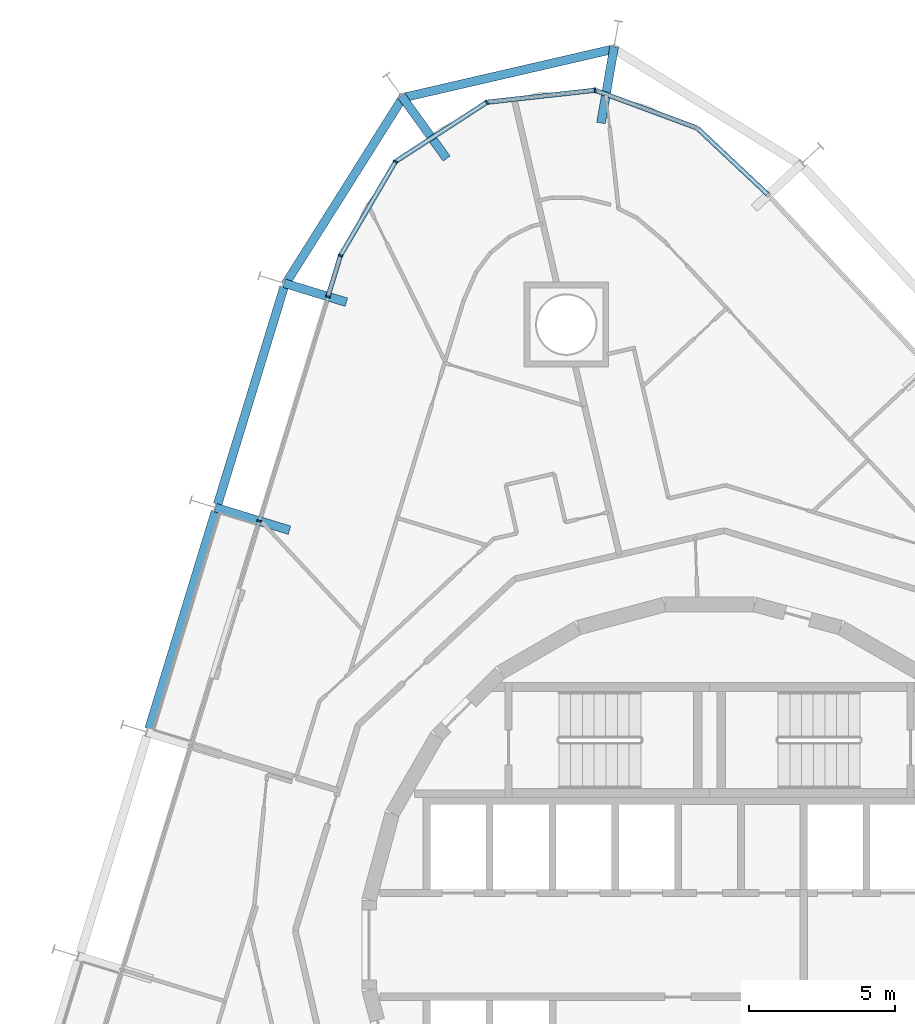
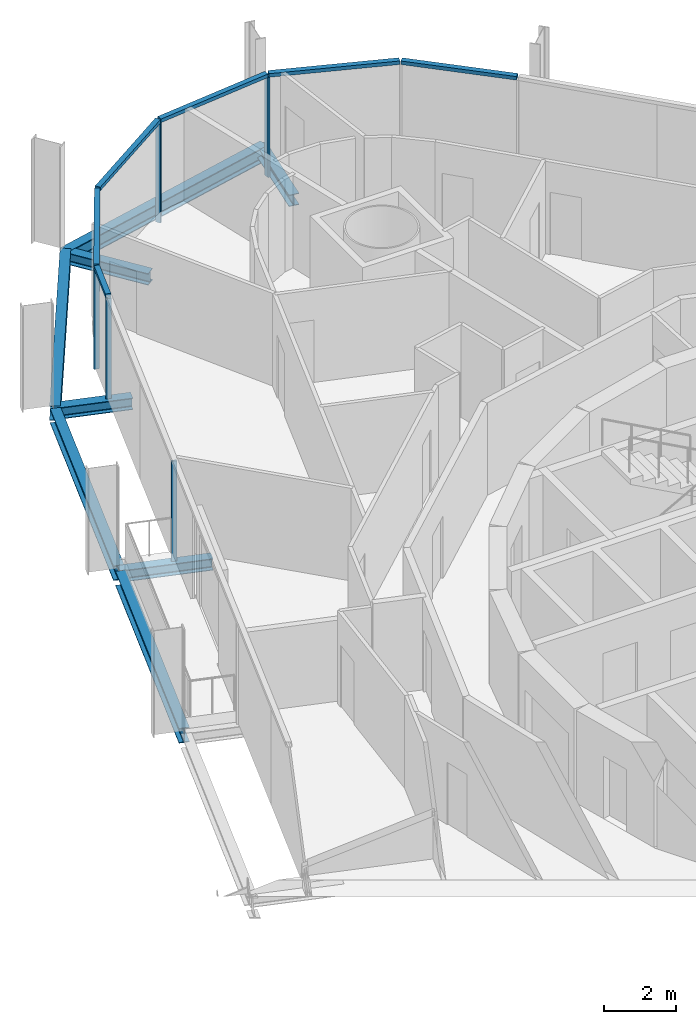
# One storey, part 7 of 18: 12 members, 8 beams, 2 elements without a shape of their own.
"""IFC4 building model written with IfcOpenShell, lengths in metres."""

from ifc_helpers import new_model, si_unit, direction, frame, origin, origin_2d, place, context, subcontext, project, spatial, rectangle, i_section, extrude, material, layer, layer_set, material_profile, profile_set, type_object, element, aggregate, save


model = new_model("IFC4")

# Units and contexts
model_context = context("Model", 3, precision=1e-05, world=origin(), true_north=direction((0.0, 1.0)))
body_context = subcontext(model_context, "Body", "Model", "MODEL_VIEW")
ifc_project = project(units=[si_unit("LENGTHUNIT", "METRE"), si_unit("AREAUNIT", "SQUARE_METRE"), si_unit("VOLUMEUNIT", "CUBIC_METRE"), si_unit("PLANEANGLEUNIT", "RADIAN"), si_unit("MASSUNIT", "GRAM", prefix="KILO")], contexts=[model_context])

# Site, building, storey
site_placement = place(None, origin())
site = spatial("IfcSite", under=ifc_project, at=site_placement, CompositionType="ELEMENT")
building_placement = place(site_placement, origin())
building = spatial("IfcBuilding", under=site, at=building_placement, Name="Spindle Arch Residences", CompositionType="ELEMENT")
storey_placement = place(building_placement, frame((0.0, 0.0, 137.89990234375)))
storey = spatial("IfcBuildingStorey", under=building, at=storey_placement, Name="L34", CompositionType="ELEMENT", Elevation=137.89990234375)

# Curtain wall, members
ifc_material_1 = material(Name="Aluminium bronze unitised frame with tinted glass", Category="aluminium")
ifc_layer_1 = layer(ifc_material_1, 0.159912109375)
ifc_layer_set_1 = layer_set([ifc_layer_1], Name="CW-D corner wall on the fillet arcs")
curtain_wall_type_1 = type_object("IfcCurtainWallType", Name="CW-D corner wall on the fillet arcs", PredefinedType="NOTDEFINED", material=ifc_layer_set_1)
curtain_wall_1_placement = place(storey_placement, origin())
curtain_wall_1 = element("IfcCurtainWall", 1, at=curtain_wall_1_placement, inside=storey, type_object=curtain_wall_type_1, Name="CW-D L34 run 3", PredefinedType="NOTDEFINED")
ifc_material_2 = material(Name="Aluminium bronze anodised mullion", Category="aluminium")
ifc_material_profile_1 = material_profile(ifc_material_2, rectangle(XDim=0.159912109375, YDim=0.06005859375, at=origin_2d()), Name="MU 60x160")
ifc_profile_set_1 = profile_set([ifc_material_profile_1], Name="Aluminium bronze anodised mullion")
member_type_1 = type_object("IfcMemberType", Name="Bronze mullion 60x160", PredefinedType="MULLION", material=ifc_profile_set_1)
member_1_placement = place(storey_placement, frame((-3.9150390625, 29.243408203125, -0.3798828125), z_axis=(0.0, 0.0, 1.0), x_axis=(0.110312556619, -0.993896946294, 0.0)))
member_1 = element("IfcMember", 2, at=member_1_placement, type_object=member_type_1, Name="CW-D mullion 02", PredefinedType="MULLION", context=body_context, shape_type="SweptSolid", body=[
    extrude(rectangle(XDim=0.159912109375, YDim=0.06005859375, at=origin_2d()), origin(), (0.0, 0.0, 1.0), 3.3798828125),
])
member_2_placement = place(storey_placement, frame((-7.619140625, 28.832275390625, -0.3798828125), z_axis=(0.0, 0.0, 1.0), x_axis=(0.544639035308, -0.838670567755, 0.0)))
member_2 = element("IfcMember", 3, at=member_2_placement, type_object=member_type_1, Name="CW-D mullion 03", PredefinedType="MULLION", context=body_context, shape_type="SweptSolid", body=[
    extrude(rectangle(XDim=0.159912109375, YDim=0.06005859375, at=origin_2d()), origin(), (0.0, 0.0, 1.0), 3.3798828125),
])
member_3_placement = place(storey_placement, frame((-10.74462890625, 26.802490234375, -0.3798828125), z_axis=(0.0, 0.0, 1.0), x_axis=(0.863101880723, -0.505029844161, 0.0)))
member_3 = element("IfcMember", 4, at=member_3_placement, type_object=member_type_1, Name="CW-D mullion 04", PredefinedType="MULLION", context=body_context, shape_type="SweptSolid", body=[
    extrude(rectangle(XDim=0.159912109375, YDim=0.06005859375, at=origin_2d()), origin(), (0.0, 0.0, 1.0), 3.3798828125),
])
member_4_placement = place(storey_placement, frame((-12.626708984375, 23.5859375, -0.3798828125), z_axis=(0.0, 0.0, 1.0), x_axis=(0.956304755963, -0.292371704723, 0.0)))
member_4 = element("IfcMember", 5, at=member_4_placement, type_object=member_type_1, Name="CW-D mullion 05", PredefinedType="MULLION", context=body_context, shape_type="SweptSolid", body=[
    extrude(rectangle(XDim=0.159912109375, YDim=0.06005859375, at=origin_2d()), origin(), (0.0, 0.0, 1.0), 3.3798828125),
])

ifc_material_3 = material(Name="Aluminium bronze unitised frame with tinted glass", Category="aluminium")
ifc_layer_2 = layer(ifc_material_3, 0.159912109375)
ifc_layer_set_2 = layer_set([ifc_layer_2], Name="CW-C typical residential unitised wall")
curtain_wall_type_2 = type_object("IfcCurtainWallType", Name="CW-C typical residential unitised wall", PredefinedType="NOTDEFINED", material=ifc_layer_set_2)
curtain_wall_2_placement = place(storey_placement, origin())
curtain_wall_2 = element("IfcCurtainWall", 6, at=curtain_wall_2_placement, inside=storey, type_object=curtain_wall_type_2, Name="CW-C L34 run 4", PredefinedType="NOTDEFINED")
member_5_placement = place(storey_placement, frame((-13.0556640625, 22.182861328125, -0.3798828125), z_axis=(0.0, 0.0, 1.0), x_axis=(0.956304755963, -0.292371704723, 0.0)))
member_5 = element("IfcMember", 7, at=member_5_placement, type_object=member_type_1, Name="CW-C mullion 12", PredefinedType="MULLION", context=body_context, shape_type="SweptSolid", body=[
    extrude(rectangle(XDim=0.159912109375, YDim=0.06005859375, at=origin_2d()), origin(), (0.0, 0.0, 1.0), 3.3798828125),
])
member_6_placement = place(storey_placement, frame((-15.4033203125, 14.504638671875, -0.3798828125), z_axis=(0.0, 0.0, 1.0), x_axis=(0.956304755963, -0.292371704723, 0.0)))
member_6 = element("IfcMember", 8, at=member_6_placement, type_object=member_type_1, Name="CW-C mullion 13", PredefinedType="MULLION", context=body_context, shape_type="SweptSolid", body=[
    extrude(rectangle(XDim=0.159912109375, YDim=0.06005859375, at=origin_2d()), origin(), (0.0, 0.0, 1.0), 3.3798828125),
])
aggregate(curtain_wall_2, [member_5, member_6])

# Member
ifc_material_4 = material(Name="Aluminium bronze anodised transom", Category="aluminium")
ifc_material_profile_2 = material_profile(ifc_material_4, rectangle(XDim=0.159912109375, YDim=0.1201171875, at=origin_2d()), Name="TR 120x160")
ifc_profile_set_2 = profile_set([ifc_material_profile_2], Name="Aluminium bronze anodised transom")
member_type_2 = type_object("IfcMemberType", Name="Bronze transom 120x160", PredefinedType="USERDEFINED", material=ifc_profile_set_2)
member_7_placement = place(storey_placement, frame((1.98828125, 25.681640625, 3.06005859375), z_axis=(-0.72826996669, 0.685290344027, 0.0), x_axis=(-0.685290344027, -0.72826996669, 0.0)))
member_7 = element("IfcMember", 9, at=member_7_placement, type_object=member_type_2, Name="CW-D transom 00", ObjectType="TRANSOM", PredefinedType="USERDEFINED", context=body_context, shape_type="SweptSolid", body=[
    extrude(rectangle(XDim=0.159912109375, YDim=0.1201171875, at=origin_2d()), origin(), (0.0, 0.0, 1.0), 3.277587890625),
])

member_8_placement = place(storey_placement, frame((-0.44873046875, 27.958740234375, 3.06005859375), z_axis=(-0.937682080581, 0.347494339172, 0.0), x_axis=(-0.347494339172, -0.937682080581, 0.0)))
member_8 = element("IfcMember", 10, at=member_8_placement, type_object=member_type_2, Name="CW-D transom 01", ObjectType="TRANSOM", PredefinedType="USERDEFINED", context=body_context, shape_type="SweptSolid", body=[
    extrude(rectangle(XDim=0.159912109375, YDim=0.1201171875, at=origin_2d()), origin(), (0.0, 0.0, 1.0), 3.666748046875),
])

member_9_placement = place(storey_placement, frame((-3.945068359375, 29.239990234375, 3.06005859375), z_axis=(-0.993895097359, -0.110329213929, 0.0), x_axis=(0.110329213929, -0.993895097359, 0.0)))
member_9 = element("IfcMember", 11, at=member_9_placement, type_object=member_type_2, Name="CW-D transom 02", ObjectType="TRANSOM", PredefinedType="USERDEFINED", context=body_context, shape_type="SweptSolid", body=[
    extrude(rectangle(XDim=0.159912109375, YDim=0.1201171875, at=origin_2d()), origin(), (0.0, 0.0, 1.0), 3.666748046875),
])

member_10_placement = place(storey_placement, frame((-7.644287109375, 28.81591796875, 3.06005859375), z_axis=(-0.838668683676, -0.544641936525, 0.0), x_axis=(0.544641936525, -0.838668683676, 0.0)))
member_10 = element("IfcMember", 12, at=member_10_placement, type_object=member_type_2, Name="CW-D transom 03", ObjectType="TRANSOM", PredefinedType="USERDEFINED", context=body_context, shape_type="SweptSolid", body=[
    extrude(rectangle(XDim=0.159912109375, YDim=0.1201171875, at=origin_2d()), origin(), (0.0, 0.0, 1.0), 3.666748046875),
])

member_11_placement = place(storey_placement, frame((-10.759765625, 26.776611328125, 3.06005859375), z_axis=(-0.505025585574, -0.86310437255, 0.0), x_axis=(0.86310437255, -0.505025585574, 0.0)))
member_11 = element("IfcMember", 13, at=member_11_placement, type_object=member_type_2, Name="CW-D transom 04", ObjectType="TRANSOM", PredefinedType="USERDEFINED", context=body_context, shape_type="SweptSolid", body=[
    extrude(rectangle(XDim=0.159912109375, YDim=0.1201171875, at=origin_2d()), origin(), (0.0, 0.0, 1.0), 3.666748046875),
])

member_12_placement = place(storey_placement, frame((-12.635498046875, 23.55712890625, 3.06005859375), z_axis=(-0.292390464398, -0.956299020354, 0.0), x_axis=(0.956299020354, -0.292390464398, 0.0)))
member_12 = element("IfcMember", 14, at=member_12_placement, type_object=member_type_2, Name="CW-D transom 05", ObjectType="TRANSOM", PredefinedType="USERDEFINED", context=body_context, shape_type="SweptSolid", body=[
    extrude(rectangle(XDim=0.159912109375, YDim=0.1201171875, at=origin_2d()), origin(), (0.0, 0.0, 1.0), 1.406982421875),
])

aggregate(curtain_wall_1, [member_7, member_8, member_1, member_9, member_2, member_10, member_3, member_11, member_4, member_12])

# Beams
ifc_material_5 = material(Name="Steel S460ML, intumescent coating R 120", Category="steel")
ifc_material_profile_3 = material_profile(ifc_material_5, i_section(OverallWidth=0.300048828125, OverallDepth=0.5, WebThickness=0.014404296875, FlangeThickness=0.028076171875, FilletRadius=0.027099609375, at=origin_2d()), Name="HEB 500")
ifc_profile_set_3 = profile_set([ifc_material_profile_3], Name="Steel S460ML, intumescent coating R 120")
beam_type_1 = type_object("IfcBeamType", Name="Exoskeleton edge beam HEB 500", PredefinedType="BEAM", material=ifc_profile_set_3)
beam_1_placement = place(storey_placement, frame((-3.20166015625, 30.670166015625, -0.6298828125), z_axis=(-0.974372141151, -0.224942060428, 0.0), x_axis=(0.224942060428, -0.974372141151, 0.0)))
element("IfcBeam", 15, at=beam_1_placement, inside=storey, type_object=beam_type_1, Name="Exoskeleton edge beam 11", PredefinedType="BEAM", context=body_context, shape_type="SweptSolid", body=[
    extrude(i_section(OverallWidth=0.300048828125, OverallDepth=0.5, WebThickness=0.014404296875, FlangeThickness=0.028076171875, FilletRadius=0.027099609375, at=origin_2d()), origin(), (0.0, 0.0, 1.0), 7.5595703125),
])
beam_2_placement = place(storey_placement, frame((-10.47509765625, 29.022705078125, -0.6298828125), z_axis=(-0.532774034173, -0.846257542661, 0.0), x_axis=(0.846257542661, -0.532774034173, 0.0)))
element("IfcBeam", 16, at=beam_2_placement, inside=storey, type_object=beam_type_1, Name="Exoskeleton edge beam 12", PredefinedType="BEAM", context=body_context, shape_type="SweptSolid", body=[
    extrude(i_section(OverallWidth=0.300048828125, OverallDepth=0.5, WebThickness=0.014404296875, FlangeThickness=0.028076171875, FilletRadius=0.027099609375, at=origin_2d()), origin(), (0.0, 0.0, 1.0), 7.591796875),
])
for number, where, z_axis, x_axis, name in (
    (17, (-14.556884765625, 22.505859375, -0.6298828125), (-0.292380603236, -0.956302035369, 0.0), (0.956302035369, -0.292380603236, 0.0), "Exoskeleton edge beam 13"),
    (18, (-16.904296875, 14.82763671875, -0.6298828125), (-0.292371816855, -0.956304721681, 0.0), (0.956304721681, -0.292371816855, 0.0), "Exoskeleton edge beam 14"),
):
    element("IfcBeam", number, at=place(storey_placement, frame(where, z_axis=z_axis, x_axis=x_axis)), inside=storey, type_object=beam_type_1, Name=name, PredefinedType="BEAM", context=body_context, shape_type="SweptSolid", body=[
        extrude(i_section(OverallWidth=0.300048828125, OverallDepth=0.5, WebThickness=0.014404296875, FlangeThickness=0.028076171875, FilletRadius=0.027099609375, at=origin_2d()), origin(), (0.0, 0.0, 1.0), 7.76904296875),
    ])
ifc_material_6 = material(Name="Steel S460ML, intumescent coating R 120", Category="steel")
ifc_material_profile_4 = material_profile(ifc_material_6, i_section(OverallWidth=0.300048828125, OverallDepth=0.389892578125, WebThickness=0.010986328125, FlangeThickness=0.01904296875, FilletRadius=0.027099609375, at=origin_2d()), Name="HEA 400")
ifc_profile_set_4 = profile_set([ifc_material_profile_4], Name="Steel S460ML, intumescent coating R 120")
beam_type_2 = type_object("IfcBeamType", Name="Floor outrigger HEA 400", PredefinedType="BEAM", material=ifc_profile_set_4)
for number, where, z_axis, x_axis, name in (
    (19, (-3.26171875, 30.7333984375, -0.574951171875), (-0.169700209351, -0.985495732587, 0.0), (0.985495732587, -0.169700209351, 0.0), "Floor outrigger 11"),
    (20, (-10.541015625, 29.052734375, -0.574951171875), (0.584588663969, -0.811329830561, 0.0), (0.811329830561, 0.584588663969, 0.0), "Floor outrigger 12"),
):
    element("IfcBeam", number, at=place(storey_placement, frame(where, z_axis=z_axis, x_axis=x_axis)), inside=storey, type_object=beam_type_2, Name=name, PredefinedType="BEAM", context=body_context, shape_type="SweptSolid", body=[
        extrude(i_section(OverallWidth=0.300048828125, OverallDepth=0.389892578125, WebThickness=0.010986328125, FlangeThickness=0.01904296875, FilletRadius=0.027099609375, at=origin_2d()), origin(), (0.0, 0.0, 1.0), 2.64990234375),
    ])
beam_3_placement = place(storey_placement, frame((-14.55712890625, 22.641845703125, -0.574951171875), z_axis=(0.956331173438, -0.292285283091, 0.0), x_axis=(0.292285283091, 0.956331173438, 0.0)))
element("IfcBeam", 21, at=beam_3_placement, inside=storey, type_object=beam_type_2, Name="Floor outrigger 13", PredefinedType="BEAM", context=body_context, shape_type="SweptSolid", body=[
    extrude(i_section(OverallWidth=0.300048828125, OverallDepth=0.389892578125, WebThickness=0.010986328125, FlangeThickness=0.01904296875, FilletRadius=0.027099609375, at=origin_2d()), origin(), (0.0, 0.0, 1.0), 2.230224609375),
])
beam_4_placement = place(storey_placement, frame((-16.904541015625, 14.963623046875, -0.574951171875), z_axis=(0.956291475666, -0.292415139091, 0.0), x_axis=(0.292415139091, 0.956291475666, 0.0)))
element("IfcBeam", 22, at=beam_4_placement, inside=storey, type_object=beam_type_2, Name="Floor outrigger 14", PredefinedType="BEAM", context=body_context, shape_type="SweptSolid", body=[
    extrude(i_section(OverallWidth=0.300048828125, OverallDepth=0.389892578125, WebThickness=0.010986328125, FlangeThickness=0.01904296875, FilletRadius=0.027099609375, at=origin_2d()), origin(), (0.0, 0.0, 1.0), 2.64990234375),
])

save(model, "model.ifc")
